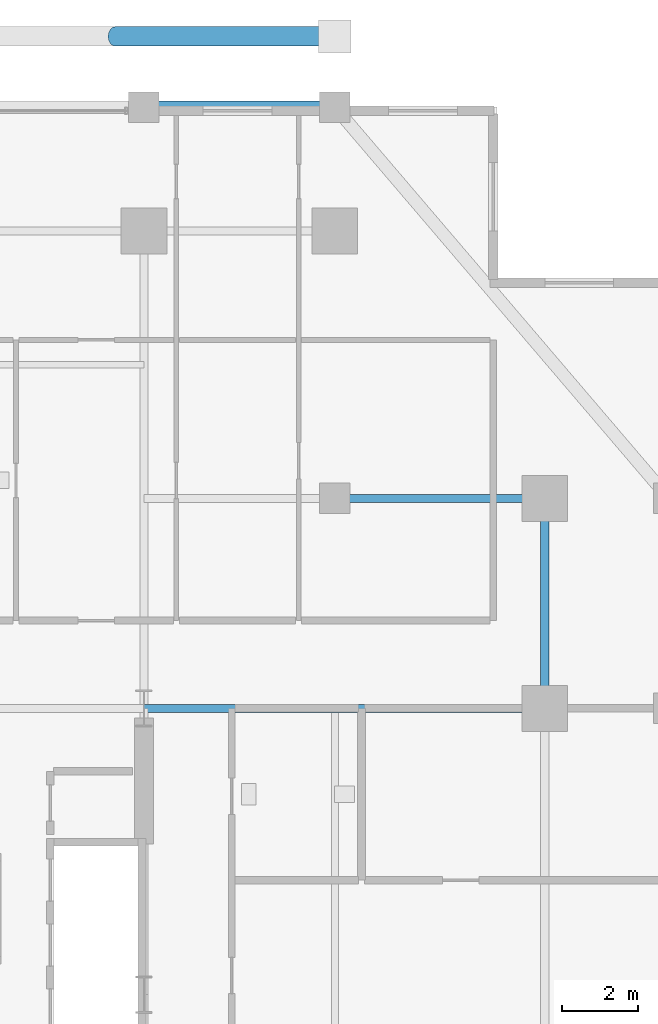
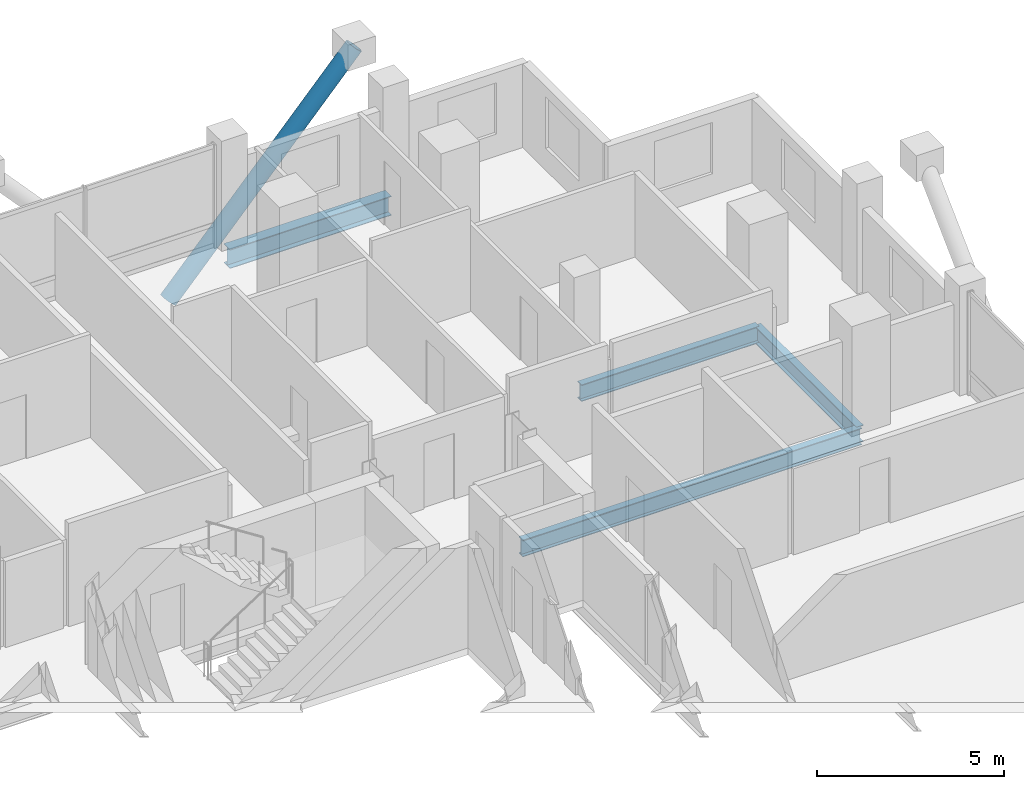
# One storey, part 14 of 22: 4 beams, 1 member.
"""IFC4 building model written with IfcOpenShell, lengths in metres."""

from ifc_helpers import new_model, si_unit, direction, frame, origin, origin_2d, place, context, subcontext, project, spatial, hollow_circle, i_section, extrude, material, material_profile, profile_set, type_object, element, save


model = new_model("IFC4")

# Units and contexts
model_context = context("Model", 3, precision=1e-05, world=origin(), true_north=direction((0.0, 1.0)))
body_context = subcontext(model_context, "Body", "Model", "MODEL_VIEW")
ifc_project = project(units=[si_unit("LENGTHUNIT", "METRE"), si_unit("AREAUNIT", "SQUARE_METRE"), si_unit("VOLUMEUNIT", "CUBIC_METRE"), si_unit("PLANEANGLEUNIT", "RADIAN"), si_unit("MASSUNIT", "GRAM", prefix="KILO")], contexts=[model_context])

# Site, building, storey
site_placement = place(None, origin())
site = spatial("IfcSite", under=ifc_project, at=site_placement, CompositionType="ELEMENT")
building_placement = place(site_placement, origin())
building = spatial("IfcBuilding", under=site, at=building_placement, Name="Barlavira Tower and Art Museum", CompositionType="ELEMENT")
storey_placement = place(building_placement, frame((0.0, 0.0, 129.60009765625)))
storey = spatial("IfcBuildingStorey", under=building, at=storey_placement, Name="L32", CompositionType="ELEMENT", Elevation=129.60009765625)

# Member
ifc_material = material(Name="Steel S355", Category="steel")
ifc_material_profile_1 = material_profile(ifc_material, hollow_circle(Radius=0.25390625, WallThickness=0.022216796875, at=origin_2d()), Name="CHS 508.0x22.2")
ifc_profile_set_1 = profile_set([ifc_material_profile_1], Name="Steel S355")
member_type = type_object("IfcMemberType", Name="Pale-Metal Exoskeleton Diagrid Tube CHS 508x22 Steel S355", PredefinedType="BRACE", material=ifc_profile_set_1)
member_placement = place(storey_placement, frame((5.75, 25.10009765625, -2.820068359375), z_axis=(0.67412750573, 0.0, 0.738614991736), x_axis=(0.0, 1.0, 0.0)))
element("IfcMember", 1, at=member_placement, inside=storey, type_object=member_type, Name="L32 Exoskeleton Diagrid Tube N", PredefinedType="BRACE", context=body_context, shape_type="SweptSolid", body=[
    extrude(hollow_circle(Radius=0.25390625, WallThickness=0.022216796875, at=origin_2d()), origin(), (0.0, 0.0, 1.0), 8.529541015625),
])

# Beams
ifc_material_profile_2 = material_profile(ifc_material, i_section(OverallWidth=0.327880859375, OverallDepth=0.62890625, WebThickness=0.013916015625, FlangeThickness=0.021484375, at=origin_2d()), Name="W610x174.0")
ifc_profile_set_2 = profile_set([ifc_material_profile_2], Name="Steel S355")
beam_type_1 = type_object("IfcBeamType", Name="Perimeter Spandrel Edge Beam W610x174 Steel S355", PredefinedType="SPANDREL", material=ifc_profile_set_2)
beam_1_placement = place(storey_placement, frame((6.5, 23.25, -0.53466796875), z_axis=(1.0, 0.0, 0.0), x_axis=(0.0, 1.0, 0.0)))
element("IfcBeam", 2, at=beam_1_placement, inside=storey, type_object=beam_type_1, Name="L32 Spandrel 9", PredefinedType="SPANDREL", context=body_context, shape_type="SweptSolid", body=[
    extrude(i_section(OverallWidth=0.327880859375, OverallDepth=0.62890625, WebThickness=0.013916015625, FlangeThickness=0.021484375, at=origin_2d()), origin(), (0.0, 0.0, 1.0), 5.0),
])
ifc_material_profile_3 = material_profile(ifc_material, i_section(OverallWidth=0.214111328125, OverallDepth=0.549072265625, WebThickness=0.0146484375, FlangeThickness=0.023681640625, at=origin_2d()), Name="W530x138.0")
ifc_profile_set_3 = profile_set([ifc_material_profile_3], Name="Steel S355")
beam_type_2 = type_object("IfcBeamType", Name="Zone 1 Primary Floor Girder W530x138 Steel S355", PredefinedType="BEAM", material=ifc_profile_set_3)
beam_2_placement = place(storey_placement, frame((17.0, 7.5, -0.49462890625), z_axis=(0.0, 1.0, 0.0), x_axis=(-1.0, 0.0, 0.0)))
element("IfcBeam", 3, at=beam_2_placement, inside=storey, type_object=beam_type_2, Name="L32 Girder M-E3", PredefinedType="BEAM", context=body_context, shape_type="SweptSolid", body=[
    extrude(i_section(OverallWidth=0.214111328125, OverallDepth=0.549072265625, WebThickness=0.0146484375, FlangeThickness=0.023681640625, at=origin_2d()), origin(), (0.0, 0.0, 1.0), 5.5),
])
beam_3_placement = place(storey_placement, frame((6.5, 7.5, -0.49462890625), z_axis=(1.0, 0.0, 0.0), x_axis=(0.0, 1.0, 0.0)))
element("IfcBeam", 4, at=beam_3_placement, inside=storey, type_object=beam_type_2, Name="L32 Girder R-E2", PredefinedType="BEAM", context=body_context, shape_type="SweptSolid", body=[
    extrude(i_section(OverallWidth=0.214111328125, OverallDepth=0.549072265625, WebThickness=0.0146484375, FlangeThickness=0.023681640625, at=origin_2d()), origin(), (0.0, 0.0, 1.0), 10.5),
])
beam_4_placement = place(storey_placement, frame((11.5, 13.0, -0.49462890625), z_axis=(1.0, 0.0, 0.0), x_axis=(0.0, 1.0, 0.0)))
element("IfcBeam", 5, at=beam_4_placement, inside=storey, type_object=beam_type_2, Name="L32 Girder I-N4", PredefinedType="BEAM", context=body_context, shape_type="SweptSolid", body=[
    extrude(i_section(OverallWidth=0.214111328125, OverallDepth=0.549072265625, WebThickness=0.0146484375, FlangeThickness=0.023681640625, at=origin_2d()), origin(), (0.0, 0.0, 1.0), 5.5),
])

save(model, "model.ifc")
